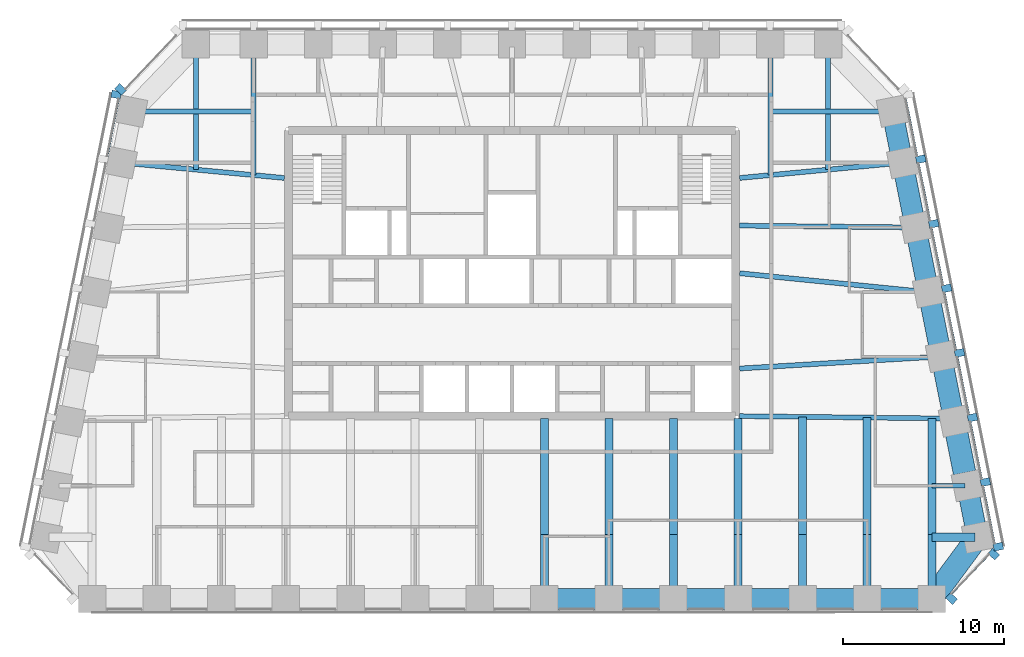
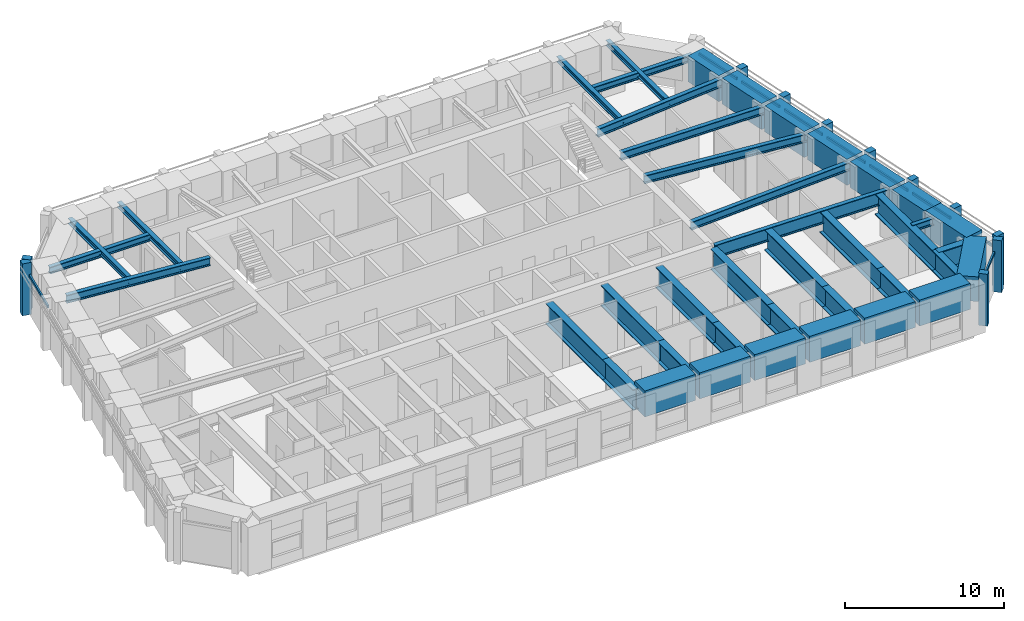
# One storey, part 2 of 12: 42 beams, 20 members, 4 elements without a shape of their own.
"""IFC4 building model written with IfcOpenShell, lengths in metres."""

from ifc_helpers import new_model, si_unit, direction, frame, origin, origin_2d, place, context, subcontext, project, spatial, rectangle, i_section, extrude, material, material_profile, profile_set, type_object, element, aggregate, save


model = new_model("IFC4")

# Units and contexts
model_context = context("Model", 3, precision=1e-05, world=origin(), true_north=direction((0.0, 1.0)))
body_context = subcontext(model_context, "Body", "Model", "MODEL_VIEW")
ifc_project = project(units=[si_unit("LENGTHUNIT", "METRE"), si_unit("AREAUNIT", "SQUARE_METRE"), si_unit("VOLUMEUNIT", "CUBIC_METRE"), si_unit("PLANEANGLEUNIT", "RADIAN"), si_unit("MASSUNIT", "GRAM", prefix="KILO")], contexts=[model_context])

# Site, building, storey
site_placement = place(None, origin())
site = spatial("IfcSite", under=ifc_project, at=site_placement, CompositionType="ELEMENT")
building_placement = place(site_placement, origin())
building = spatial("IfcBuilding", under=site, at=building_placement, Name="Isbrekke Arena Tower", CompositionType="ELEMENT")
storey_placement = place(building_placement, frame((0.0, 0.0, 292.0)))
storey = spatial("IfcBuildingStorey", under=building, at=storey_placement, Name="L68", CompositionType="ELEMENT", Elevation=292.0)

# Beams
ifc_material_1 = material(Name="Steel S355", Category="steel")
ifc_material_profile_1 = material_profile(ifc_material_1, i_section(OverallWidth=0.304931640625, OverallDepth=0.6201171875, WebThickness=0.02099609375, FlangeThickness=0.0400390625, FilletRadius=0.027099609375, at=origin_2d()), Name="HEM 600")
ifc_profile_set_1 = profile_set([ifc_material_profile_1], Name="Steel S355")
beam_type_1 = type_object("IfcBeamType", Name="B4 HEM 600", PredefinedType="BEAM", material=ifc_profile_set_1)
beam_1_placement = place(storey_placement, frame((26.431884765625, 9.837646484375, 3.5400390625), z_axis=(-0.998216240514, -0.059702070095, 0.0), x_axis=(0.059702070095, -0.998216240514, 0.0)))
element("IfcBeam", 1, at=beam_1_placement, inside=storey, type_object=beam_type_1, Name="B4 beam E-E04 L68", PredefinedType="BEAM", context=body_context, shape_type="SweptSolid", body=[
    extrude(i_section(OverallWidth=0.304931640625, OverallDepth=0.6201171875, WebThickness=0.02099609375, FlangeThickness=0.0400390625, FilletRadius=0.027099609375, at=origin_2d()), origin(), (0.0, 0.0, 1.0), 12.353759765625),
])
beam_2_placement = place(storey_placement, frame((25.625732421875, 13.83984375, 3.5400390625), z_axis=(-0.994972081505, 0.100152668587, 0.0), x_axis=(-0.100152668587, -0.994972081505, 0.0)))
element("IfcBeam", 2, at=beam_2_placement, inside=storey, type_object=beam_type_1, Name="B4 beam E-E05 L68", PredefinedType="BEAM", context=body_context, shape_type="SweptSolid", body=[
    extrude(i_section(OverallWidth=0.304931640625, OverallDepth=0.6201171875, WebThickness=0.02099609375, FlangeThickness=0.0400390625, FilletRadius=0.027099609375, at=origin_2d()), origin(), (0.0, 0.0, 1.0), 11.583984375),
])
beam_3_placement = place(storey_placement, frame((24.83935546875, 17.838134765625, 3.5400390625), z_axis=(-0.999945800258, 0.010411366203, 0.0), x_axis=(-0.010411366203, -0.999945800258, 0.0)))
element("IfcBeam", 3, at=beam_3_placement, inside=storey, type_object=beam_type_1, Name="B4 beam E-E06 L68", PredefinedType="BEAM", context=body_context, shape_type="SweptSolid", body=[
    extrude(i_section(OverallWidth=0.304931640625, OverallDepth=0.6201171875, WebThickness=0.02099609375, FlangeThickness=0.0400390625, FilletRadius=0.027099609375, at=origin_2d()), origin(), (0.0, 0.0, 1.0), 10.73974609375),
])
for number, where, z_axis, x_axis, name in (
    (4, (24.02685546875, 21.8369140625, 3.5400390625), (-0.995574576627, -0.093974796485, 0.0), (0.093974796485, -0.995574576627, 0.0), "B4 beam E-E07 L68"),
    (5, (-24.02685546875, 21.8369140625, 3.5400390625), (0.995574576627, -0.093974796485, 0.0), (0.093974796485, 0.995574576627, 0.0), "B4 beam E-W02 L68"),
):
    element("IfcBeam", number, at=place(storey_placement, frame(where, z_axis=z_axis, x_axis=x_axis)), inside=storey, type_object=beam_type_1, Name=name, PredefinedType="BEAM", context=body_context, shape_type="SweptSolid", body=[
        extrude(i_section(OverallWidth=0.304931640625, OverallDepth=0.6201171875, WebThickness=0.02099609375, FlangeThickness=0.0400390625, FilletRadius=0.027099609375, at=origin_2d()), origin(), (0.0, 0.0, 1.0), 9.970947265625),
    ])
ifc_material_2 = material(Name="Steel S355", Category="steel")
ifc_material_profile_2 = material_profile(ifc_material_2, i_section(OverallWidth=0.305908203125, OverallDepth=0.52392578125, WebThickness=0.02099609375, FlangeThickness=0.0400390625, FilletRadius=0.027099609375, at=origin_2d()), Name="HEM 500")
ifc_profile_set_2 = profile_set([ifc_material_profile_2], Name="Steel S355")
beam_type_2 = type_object("IfcBeamType", Name="B5 HEM 500", PredefinedType="BEAM", material=ifc_profile_set_2)
beam_4_placement = place(storey_placement, frame((28.041015625, 1.838134765625, 3.587890625), z_axis=(-1.0, 0.0, 0.0), x_axis=(0.0, -1.0, 0.0)))
element("IfcBeam", 6, at=beam_4_placement, inside=storey, type_object=beam_type_2, Name="B5 beam E-E02 L68", PredefinedType="BEAM", context=body_context, shape_type="SweptSolid", body=[
    extrude(i_section(OverallWidth=0.305908203125, OverallDepth=0.52392578125, WebThickness=0.02099609375, FlangeThickness=0.0400390625, FilletRadius=0.027099609375, at=origin_2d()), origin(), (0.0, 0.0, 1.0), 2.041015625),
])
for number, where, z_axis, x_axis, name in (
    (7, (23.40283203125, 25.029296875, 3.587890625), (-1.0, 0.0, 0.0), (0.0, -1.0, 0.0), "B5 beam E-E08 L68"),
    (8, (-23.40283203125, 25.029296875, 3.587890625), (1.0, 0.0, 0.0), (0.0, 1.0, 0.0), "B5 beam E-W01 L68"),
):
    element("IfcBeam", number, at=place(storey_placement, frame(where, z_axis=z_axis, x_axis=x_axis)), inside=storey, type_object=beam_type_2, Name=name, PredefinedType="BEAM", context=body_context, shape_type="SweptSolid", body=[
        extrude(i_section(OverallWidth=0.305908203125, OverallDepth=0.52392578125, WebThickness=0.02099609375, FlangeThickness=0.0400390625, FilletRadius=0.027099609375, at=origin_2d()), origin(), (0.0, 0.0, 1.0), 7.40283203125),
    ])
ifc_material_3 = material(Name="Steel S355", Category="steel")
ifc_material_profile_3 = material_profile(ifc_material_3, i_section(OverallWidth=0.306884765625, OverallDepth=0.431884765625, WebThickness=0.02099609375, FlangeThickness=0.0400390625, FilletRadius=0.027099609375, at=origin_2d()), Name="HEM 400")
ifc_profile_set_3 = profile_set([ifc_material_profile_3], Name="Steel S355")
beam_type_3 = type_object("IfcBeamType", Name="B6 HEM 400", PredefinedType="BEAM", material=ifc_profile_set_3)
beam_5_placement = place(storey_placement, frame((19.574951171875, 29.02490234375, 3.634033203125), z_axis=(0.0, -1.0, 0.0), x_axis=(1.0, 0.0, 0.0)))
element("IfcBeam", 9, at=beam_5_placement, inside=storey, type_object=beam_type_3, Name="B6 beam N-N01 L68", PredefinedType="BEAM", context=body_context, shape_type="SweptSolid", body=[
    extrude(i_section(OverallWidth=0.306884765625, OverallDepth=0.431884765625, WebThickness=0.02099609375, FlangeThickness=0.0400390625, FilletRadius=0.027099609375, at=origin_2d()), origin(), (0.0, 0.0, 1.0), 7.608154296875),
])
for number, where, z_axis, x_axis, name in (
    (10, (16.0, 29.02490234375, 3.634033203125), (0.0, -1.0, 0.0), (1.0, 0.0, 0.0), "B6 beam N-N02 L68"),
    (11, (-16.0, 29.02490234375, 3.634033203125), (0.0, -1.0, 0.0), (1.0, 0.0, 0.0), "B6 beam N-N10 L68"),
):
    element("IfcBeam", number, at=place(storey_placement, frame(where, z_axis=z_axis, x_axis=x_axis)), inside=storey, type_object=beam_type_3, Name=name, PredefinedType="BEAM", context=body_context, shape_type="SweptSolid", body=[
        extrude(i_section(OverallWidth=0.306884765625, OverallDepth=0.431884765625, WebThickness=0.02099609375, FlangeThickness=0.0400390625, FilletRadius=0.027099609375, at=origin_2d()), origin(), (0.0, 0.0, 1.0), 7.945556640625),
    ])
beam_6_placement = place(storey_placement, frame((-19.574951171875, 29.02490234375, 3.634033203125), z_axis=(0.0, -1.0, 0.0), x_axis=(1.0, 0.0, 0.0)))
element("IfcBeam", 12, at=beam_6_placement, inside=storey, type_object=beam_type_3, Name="B6 beam N-N11 L68", PredefinedType="BEAM", context=body_context, shape_type="SweptSolid", body=[
    extrude(i_section(OverallWidth=0.306884765625, OverallDepth=0.431884765625, WebThickness=0.02099609375, FlangeThickness=0.0400390625, FilletRadius=0.027099609375, at=origin_2d()), origin(), (0.0, 0.0, 1.0), 7.608154296875),
])

# Curtain wall, members
ifc_material_4 = material(Name="Glazed aluminium curtain wall", Category="aluminium")
curtain_wall_type = type_object("IfcCurtainWallType", Name="CWT TOWER CURTAIN WALL TOP ZONE", PredefinedType="USERDEFINED", material=ifc_material_4)
curtain_wall_1_placement = place(storey_placement, origin())
curtain_wall_1 = element("IfcCurtainWall", 13, at=curtain_wall_1_placement, inside=storey, type_object=curtain_wall_type, Name="CWT curtain wall L68-SE", ObjectType="TOWER CURTAIN WALL TOP ZONE", PredefinedType="USERDEFINED")
ifc_material_5 = material(Name="Copper-clad aluminium mullion", Category="aluminium")
ifc_material_profile_4 = material_profile(ifc_material_5, rectangle(XDim=0.449951171875, YDim=0.60009765625, at=origin_2d()), Name="PIER 450X600")
ifc_profile_set_4 = profile_set([ifc_material_profile_4], Name="Copper-clad aluminium mullion")
member_type_1 = type_object("IfcMemberType", Name="CWT-M PIER MULLION 450 x 600", PredefinedType="MULLION", material=ifc_profile_set_4)
member_1_placement = place(storey_placement, frame((27.22021484375, -5.151123046875, 0.0), z_axis=(0.0, 0.0, 1.0), x_axis=(0.68874946192, 0.72499943359, 0.0)))
member_1 = element("IfcMember", 14, at=member_1_placement, type_object=member_type_1, Name="CWT-M mullion 1", PredefinedType="MULLION", context=body_context, shape_type="SweptSolid", body=[
    extrude(rectangle(XDim=0.449951171875, YDim=0.60009765625, at=origin_2d()), origin(), (0.0, 0.0, 1.0), 4.0),
])
member_2_placement = place(storey_placement, frame((29.8359375, -2.397705078125, 0.0), z_axis=(0.0, 0.0, 1.0), x_axis=(0.68874946192, 0.72499943359, 0.0)))
member_2 = element("IfcMember", 15, at=member_2_placement, type_object=member_type_1, Name="CWT-M mullion 2", PredefinedType="MULLION", context=body_context, shape_type="SweptSolid", body=[
    extrude(rectangle(XDim=0.449951171875, YDim=0.60009765625, at=origin_2d()), origin(), (0.0, 0.0, 1.0), 4.0),
])

curtain_wall_2_placement = place(storey_placement, origin())
curtain_wall_2 = element("IfcCurtainWall", 16, at=curtain_wall_2_placement, inside=storey, type_object=curtain_wall_type, Name="CWT curtain wall L68-E", ObjectType="TOWER CURTAIN WALL TOP ZONE", PredefinedType="USERDEFINED")
member_3_placement = place(storey_placement, frame((30.11865234375, -1.936279296875, 0.0), z_axis=(0.0, 0.0, 1.0), x_axis=(-0.196116135138, 0.980580675691, 0.0)))
member_3 = element("IfcMember", 17, at=member_3_placement, type_object=member_type_1, Name="CWT-M mullion 1", PredefinedType="MULLION", context=body_context, shape_type="SweptSolid", body=[
    extrude(rectangle(XDim=0.449951171875, YDim=0.60009765625, at=origin_2d()), origin(), (0.0, 0.0, 1.0), 4.0),
])
member_4_placement = place(storey_placement, frame((29.318603515625, 2.063720703125, 0.0), z_axis=(0.0, 0.0, 1.0), x_axis=(-0.196116135138, 0.980580675691, 0.0)))
member_4 = element("IfcMember", 18, at=member_4_placement, type_object=member_type_1, Name="CWT-M mullion 2", PredefinedType="MULLION", context=body_context, shape_type="SweptSolid", body=[
    extrude(rectangle(XDim=0.449951171875, YDim=0.60009765625, at=origin_2d()), origin(), (0.0, 0.0, 1.0), 4.0),
])
member_5_placement = place(storey_placement, frame((28.518798828125, 6.063720703125, 0.0), z_axis=(0.0, 0.0, 1.0), x_axis=(-0.196116135138, 0.980580675691, 0.0)))
member_5 = element("IfcMember", 19, at=member_5_placement, type_object=member_type_1, Name="CWT-M mullion 3", PredefinedType="MULLION", context=body_context, shape_type="SweptSolid", body=[
    extrude(rectangle(XDim=0.449951171875, YDim=0.60009765625, at=origin_2d()), origin(), (0.0, 0.0, 1.0), 4.0),
])
member_6_placement = place(storey_placement, frame((27.71875, 10.063720703125, 0.0), z_axis=(0.0, 0.0, 1.0), x_axis=(-0.196116135138, 0.980580675691, 0.0)))
member_6 = element("IfcMember", 20, at=member_6_placement, type_object=member_type_1, Name="CWT-M mullion 4", PredefinedType="MULLION", context=body_context, shape_type="SweptSolid", body=[
    extrude(rectangle(XDim=0.449951171875, YDim=0.60009765625, at=origin_2d()), origin(), (0.0, 0.0, 1.0), 4.0),
])
member_7_placement = place(storey_placement, frame((26.918701171875, 14.063720703125, 0.0), z_axis=(0.0, 0.0, 1.0), x_axis=(-0.196116135138, 0.980580675691, 0.0)))
member_7 = element("IfcMember", 21, at=member_7_placement, type_object=member_type_1, Name="CWT-M mullion 5", PredefinedType="MULLION", context=body_context, shape_type="SweptSolid", body=[
    extrude(rectangle(XDim=0.449951171875, YDim=0.60009765625, at=origin_2d()), origin(), (0.0, 0.0, 1.0), 4.0),
])
member_8_placement = place(storey_placement, frame((26.11865234375, 18.063720703125, 0.0), z_axis=(0.0, 0.0, 1.0), x_axis=(-0.196116135138, 0.980580675691, 0.0)))
member_8 = element("IfcMember", 22, at=member_8_placement, type_object=member_type_1, Name="CWT-M mullion 6", PredefinedType="MULLION", context=body_context, shape_type="SweptSolid", body=[
    extrude(rectangle(XDim=0.449951171875, YDim=0.60009765625, at=origin_2d()), origin(), (0.0, 0.0, 1.0), 4.0),
])
member_9_placement = place(storey_placement, frame((25.318603515625, 22.063720703125, 0.0), z_axis=(0.0, 0.0, 1.0), x_axis=(-0.196116135138, 0.980580675691, 0.0)))
member_9 = element("IfcMember", 23, at=member_9_placement, type_object=member_type_1, Name="CWT-M mullion 7", PredefinedType="MULLION", context=body_context, shape_type="SweptSolid", body=[
    extrude(rectangle(XDim=0.449951171875, YDim=0.60009765625, at=origin_2d()), origin(), (0.0, 0.0, 1.0), 4.0),
])

# Curtain wall, member
curtain_wall_3_placement = place(storey_placement, origin())
curtain_wall_3 = element("IfcCurtainWall", 24, at=curtain_wall_3_placement, inside=storey, type_object=curtain_wall_type, Name="CWT curtain wall L68-NW", ObjectType="TOWER CURTAIN WALL TOP ZONE", PredefinedType="USERDEFINED")
member_10_placement = place(storey_placement, frame((-24.243896484375, 26.389404296875, 0.0), z_axis=(0.0, 0.0, 1.0), x_axis=(-0.68874946192, -0.72499943359, 0.0)))
member_10 = element("IfcMember", 25, at=member_10_placement, type_object=member_type_1, Name="CWT-M mullion 2", PredefinedType="MULLION", context=body_context, shape_type="SweptSolid", body=[
    extrude(rectangle(XDim=0.449951171875, YDim=0.60009765625, at=origin_2d()), origin(), (0.0, 0.0, 1.0), 4.0),
])
aggregate(curtain_wall_3, [member_10])

curtain_wall_4_placement = place(storey_placement, origin())
curtain_wall_4 = element("IfcCurtainWall", 26, at=curtain_wall_4_placement, inside=storey, type_object=curtain_wall_type, Name="CWT curtain wall L68-W", ObjectType="TOWER CURTAIN WALL TOP ZONE", PredefinedType="USERDEFINED")
member_11_placement = place(storey_placement, frame((-24.518798828125, 26.063720703125, 0.0), z_axis=(0.0, 0.0, 1.0), x_axis=(-0.196116135138, -0.980580675691, 0.0)))
member_11 = element("IfcMember", 27, at=member_11_placement, type_object=member_type_1, Name="CWT-M mullion 1", PredefinedType="MULLION", context=body_context, shape_type="SweptSolid", body=[
    extrude(rectangle(XDim=0.449951171875, YDim=0.60009765625, at=origin_2d()), origin(), (0.0, 0.0, 1.0), 4.0),
])

# Member
ifc_material_6 = material(Name="Aluminium transom", Category="aluminium")
ifc_material_profile_5 = material_profile(ifc_material_6, rectangle(XDim=0.1201171875, YDim=0.199951171875, at=origin_2d()), Name="TRANSOM 120X200")
ifc_profile_set_5 = profile_set([ifc_material_profile_5], Name="Aluminium transom")
member_type_2 = type_object("IfcMemberType", Name="CWT-T TRANSOM 120 x 200", PredefinedType="USERDEFINED", material=ifc_profile_set_5)
member_12_placement = place(storey_placement, frame((27.230224609375, -4.850341796875, 3.0), z_axis=(0.688714962542, 0.725032206437, 0.0), x_axis=(-0.725032206437, 0.688714962542, 0.0)))
member_12 = element("IfcMember", 28, at=member_12_placement, type_object=member_type_2, Name="CWT-T transom 1", ObjectType="TRANSOM", PredefinedType="USERDEFINED", context=body_context, shape_type="SweptSolid", body=[
    extrude(rectangle(XDim=0.1201171875, YDim=0.199951171875, at=origin_2d()), origin(), (0.0, 0.0, 1.0), 3.34765625),
])

aggregate(curtain_wall_1, [member_1, member_2, member_12])

member_13_placement = place(storey_placement, frame((29.87841796875, -1.7548828125, 3.0), z_axis=(-0.196090262229, 0.980585849918, 0.0), x_axis=(-0.980585849918, -0.196090262229, 0.0)))
member_13 = element("IfcMember", 29, at=member_13_placement, type_object=member_type_2, Name="CWT-T transom 1", ObjectType="TRANSOM", PredefinedType="USERDEFINED", context=body_context, shape_type="SweptSolid", body=[
    extrude(rectangle(XDim=0.1201171875, YDim=0.199951171875, at=origin_2d()), origin(), (0.0, 0.0, 1.0), 3.62939453125),
])

member_14_placement = place(storey_placement, frame((29.078369140625, 2.2451171875, 3.0), z_axis=(-0.196090262229, 0.980585849918, 0.0), x_axis=(-0.980585849918, -0.196090262229, 0.0)))
member_14 = element("IfcMember", 30, at=member_14_placement, type_object=member_type_2, Name="CWT-T transom 2", ObjectType="TRANSOM", PredefinedType="USERDEFINED", context=body_context, shape_type="SweptSolid", body=[
    extrude(rectangle(XDim=0.1201171875, YDim=0.199951171875, at=origin_2d()), origin(), (0.0, 0.0, 1.0), 3.62939453125),
])

member_15_placement = place(storey_placement, frame((28.278564453125, 6.2451171875, 3.0), z_axis=(-0.196154943734, 0.980572913173, 0.0), x_axis=(-0.980572913173, -0.196154943734, 0.0)))
member_15 = element("IfcMember", 31, at=member_15_placement, type_object=member_type_2, Name="CWT-T transom 3", ObjectType="TRANSOM", PredefinedType="USERDEFINED", context=body_context, shape_type="SweptSolid", body=[
    extrude(rectangle(XDim=0.1201171875, YDim=0.199951171875, at=origin_2d()), origin(), (0.0, 0.0, 1.0), 3.62939453125),
])

member_16_placement = place(storey_placement, frame((27.478515625, 10.2451171875, 3.0), z_axis=(-0.196154943734, 0.980572913173, 0.0), x_axis=(-0.980572913173, -0.196154943734, 0.0)))
member_16 = element("IfcMember", 32, at=member_16_placement, type_object=member_type_2, Name="CWT-T transom 4", ObjectType="TRANSOM", PredefinedType="USERDEFINED", context=body_context, shape_type="SweptSolid", body=[
    extrude(rectangle(XDim=0.1201171875, YDim=0.199951171875, at=origin_2d()), origin(), (0.0, 0.0, 1.0), 3.62939453125),
])

member_17_placement = place(storey_placement, frame((26.678466796875, 14.2451171875, 3.0), z_axis=(-0.196090262229, 0.980585849918, 0.0), x_axis=(-0.980585849918, -0.196090262229, 0.0)))
member_17 = element("IfcMember", 33, at=member_17_placement, type_object=member_type_2, Name="CWT-T transom 5", ObjectType="TRANSOM", PredefinedType="USERDEFINED", context=body_context, shape_type="SweptSolid", body=[
    extrude(rectangle(XDim=0.1201171875, YDim=0.199951171875, at=origin_2d()), origin(), (0.0, 0.0, 1.0), 3.62939453125),
])

member_18_placement = place(storey_placement, frame((25.87841796875, 18.2451171875, 3.0), z_axis=(-0.196090262229, 0.980585849918, 0.0), x_axis=(-0.980585849918, -0.196090262229, 0.0)))
member_18 = element("IfcMember", 34, at=member_18_placement, type_object=member_type_2, Name="CWT-T transom 6", ObjectType="TRANSOM", PredefinedType="USERDEFINED", context=body_context, shape_type="SweptSolid", body=[
    extrude(rectangle(XDim=0.1201171875, YDim=0.199951171875, at=origin_2d()), origin(), (0.0, 0.0, 1.0), 3.62939453125),
])

member_19_placement = place(storey_placement, frame((25.078369140625, 22.2451171875, 3.0), z_axis=(-0.196090262229, 0.980585849918, 0.0), x_axis=(-0.980585849918, -0.196090262229, 0.0)))
member_19 = element("IfcMember", 35, at=member_19_placement, type_object=member_type_2, Name="CWT-T transom 7", ObjectType="TRANSOM", PredefinedType="USERDEFINED", context=body_context, shape_type="SweptSolid", body=[
    extrude(rectangle(XDim=0.1201171875, YDim=0.199951171875, at=origin_2d()), origin(), (0.0, 0.0, 1.0), 3.62939453125),
])

aggregate(curtain_wall_2, [member_3, member_4, member_5, member_6, member_7, member_8, member_9, member_13, member_14, member_15, member_16, member_17, member_18, member_19])

member_20_placement = place(storey_placement, frame((-24.36669921875, 25.803955078125, 3.0), z_axis=(-0.196090262229, -0.980585849918, 0.0), x_axis=(0.980585849918, -0.196090262229, 0.0)))
member_20 = element("IfcMember", 36, at=member_20_placement, type_object=member_type_2, Name="CWT-T transom 1", ObjectType="TRANSOM", PredefinedType="USERDEFINED", context=body_context, shape_type="SweptSolid", body=[
    extrude(rectangle(XDim=0.1201171875, YDim=0.199951171875, at=origin_2d()), origin(), (0.0, 0.0, 1.0), 3.62939453125),
])

aggregate(curtain_wall_4, [member_11, member_20])

# Beams
ifc_material_7 = material(Name="Steel S355", Category="steel")
ifc_material_profile_6 = material_profile(ifc_material_7, i_section(OverallWidth=0.302001953125, OverallDepth=1.008056640625, WebThickness=0.02099609375, FlangeThickness=0.0400390625, FilletRadius=0.030029296875, at=origin_2d()), Name="HEM 1000")
ifc_profile_set_6 = profile_set([ifc_material_profile_6], Name="Steel S355")
beam_type_4 = type_object("IfcBeamType", Name="G2 HEM 1000", PredefinedType="BEAM", material=ifc_profile_set_6)
beam_7_placement = place(storey_placement, frame((14.10009765625, 6.14990234375, 3.345947265625), z_axis=(0.999936387749, -0.011279204565, 0.0), x_axis=(0.011279204565, 0.999936387749, 0.0)))
element("IfcBeam", 37, at=beam_7_placement, inside=storey, type_object=beam_type_4, Name="G2 beam G2-E L68", PredefinedType="BEAM", context=body_context, shape_type="SweptSolid", body=[
    extrude(i_section(OverallWidth=0.302001953125, OverallDepth=1.008056640625, WebThickness=0.02099609375, FlangeThickness=0.0400390625, FilletRadius=0.030029296875, at=origin_2d()), origin(), (0.0, 0.0, 1.0), 13.2900390625),
])
ifc_material_8 = material(Name="Concrete B55 (C55/67)", Category="concrete")
ifc_material_profile_7 = material_profile(ifc_material_8, rectangle(XDim=1.300048828125, YDim=2.0, at=origin_2d()), Name="RC 1300x2000")
ifc_profile_set_7 = profile_set([ifc_material_profile_7], Name="Concrete B55 (C55/67)")
beam_type_5 = type_object("IfcBeamType", Name="SB4 RC 1300 x 2000", PredefinedType="SPANDREL", material=ifc_profile_set_7)
for number, where, z_axis, x_axis, name in (
    (38, (2.14990234375, -5.175048828125, 3.0), (1.0, 0.0, 0.0), (0.0, 1.0, 0.0), "SB4 spandrel S08-S09 L68"),
    (39, (6.14990234375, -5.175048828125, 3.0), (1.0, 0.0, 0.0), (0.0, 1.0, 0.0), "SB4 spandrel S09-S10 L68"),
    (40, (10.14990234375, -5.175048828125, 3.0), (1.0, 0.0, 0.0), (0.0, 1.0, 0.0), "SB4 spandrel S10-S11 L68"),
    (41, (14.14990234375, -5.175048828125, 3.0), (1.0, 0.0, 0.0), (0.0, 1.0, 0.0), "SB4 spandrel S11-S12 L68"),
    (42, (18.14990234375, -5.175048828125, 3.0), (1.0, 0.0, 0.0), (0.0, 1.0, 0.0), "SB4 spandrel S12-S13 L68"),
    (43, (22.14990234375, -5.175048828125, 3.0), (1.0, 0.0, 0.0), (0.0, 1.0, 0.0), "SB4 spandrel S13-S14 L68"),
):
    element("IfcBeam", number, at=place(storey_placement, frame(where, z_axis=z_axis, x_axis=x_axis)), inside=storey, type_object=beam_type_5, Name=name, PredefinedType="SPANDREL", context=body_context, shape_type="SweptSolid", body=[
        extrude(rectangle(XDim=1.300048828125, YDim=2.0, at=origin_2d()), origin(), (0.0, 0.0, 1.0), 3.7001953125),
    ])
beam_8_placement = place(storey_placement, frame((28.7998046875, -1.205810546875, 3.0), z_axis=(-0.196092237713, 0.980585454873, 0.0), x_axis=(-0.980585454873, -0.196092237713, 0.0)))
element("IfcBeam", 44, at=beam_8_placement, inside=storey, type_object=beam_type_5, Name="SB4 spandrel E01-E02 L68", PredefinedType="SPANDREL", context=body_context, shape_type="SweptSolid", body=[
    extrude(rectangle(XDim=1.300048828125, YDim=2.0, at=origin_2d()), origin(), (0.0, 0.0, 1.0), 3.92919921875),
])
beam_9_placement = place(storey_placement, frame((27.361572265625, 5.9853515625, 3.0), z_axis=(-0.196128558387, 0.980578190959, 0.0), x_axis=(-0.980578190959, -0.196128558387, 0.0)))
element("IfcBeam", 45, at=beam_9_placement, inside=storey, type_object=beam_type_5, Name="SB4 spandrel E03-E04 L68", PredefinedType="SPANDREL", context=body_context, shape_type="SweptSolid", body=[
    extrude(rectangle(XDim=1.300048828125, YDim=2.0, at=origin_2d()), origin(), (0.0, 0.0, 1.0), 3.779296875),
])
beam_10_placement = place(storey_placement, frame((26.5615234375, 9.9853515625, 3.0), z_axis=(-0.1960664412, 0.980590613169, 0.0), x_axis=(-0.980590613169, -0.1960664412, 0.0)))
element("IfcBeam", 46, at=beam_10_placement, inside=storey, type_object=beam_type_5, Name="SB4 spandrel E04-E05 L68", PredefinedType="SPANDREL", context=body_context, shape_type="SweptSolid", body=[
    extrude(rectangle(XDim=1.300048828125, YDim=2.0, at=origin_2d()), origin(), (0.0, 0.0, 1.0), 3.779052734375),
])
for number, where, z_axis, x_axis, name in (
    (47, (25.76171875, 13.9853515625, 3.0), (-0.196128558387, 0.980578190959, 0.0), (-0.980578190959, -0.196128558387, 0.0), "SB4 spandrel E05-E06 L68"),
    (48, (24.961669921875, 17.9853515625, 3.0), (-0.196128558387, 0.980578190959, 0.0), (-0.980578190959, -0.196128558387, 0.0), "SB4 spandrel E06-E07 L68"),
):
    element("IfcBeam", number, at=place(storey_placement, frame(where, z_axis=z_axis, x_axis=x_axis)), inside=storey, type_object=beam_type_5, Name=name, PredefinedType="SPANDREL", context=body_context, shape_type="SweptSolid", body=[
        extrude(rectangle(XDim=1.300048828125, YDim=2.0, at=origin_2d()), origin(), (0.0, 0.0, 1.0), 3.779296875),
    ])
beam_11_placement = place(storey_placement, frame((24.16162109375, 21.9853515625, 3.0), z_axis=(-0.196116135138, 0.980580675691, 0.0), x_axis=(-0.980580675691, -0.196116135138, 0.0)))
element("IfcBeam", 49, at=beam_11_placement, inside=storey, type_object=beam_type_5, Name="SB4 spandrel E07-E08 L68", PredefinedType="SPANDREL", context=body_context, shape_type="SweptSolid", body=[
    extrude(rectangle(XDim=1.300048828125, YDim=2.0, at=origin_2d()), origin(), (0.0, 0.0, 1.0), 2.9541015625),
])
ifc_material_9 = material(Name="Concrete B55 (C55/67)", Category="concrete")
ifc_material_profile_8 = material_profile(ifc_material_9, rectangle(XDim=1.39990234375, YDim=1.89990234375, at=origin_2d()), Name="RC 1400 x 1900")
ifc_profile_set_8 = profile_set([ifc_material_profile_8], Name="Concrete B55 (C55/67)")
beam_type_6 = type_object("IfcBeamType", Name="SB5 RC 1400  x  1900", PredefinedType="SPANDREL", material=ifc_profile_set_8)
beam_12_placement = place(storey_placement, frame((26.08935546875, -5.054443359375, 3.050048828125), z_axis=(0.594937895072, 0.803771672185, 0.0), x_axis=(-0.803771672185, 0.594937895072, 0.0)))
element("IfcBeam", 50, at=beam_12_placement, inside=storey, type_object=beam_type_6, Name="SB5 spandrel S14-E01 L68", PredefinedType="SPANDREL", context=body_context, shape_type="SweptSolid", body=[
    extrude(rectangle(XDim=1.39990234375, YDim=1.89990234375, at=origin_2d()), origin(), (0.0, 0.0, 1.0), 4.455322265625),
])
beam_13_placement = place(storey_placement, frame((28.029296875, 2.647216796875, 3.050048828125), z_axis=(-0.196146384009, 0.980574625432, 0.0), x_axis=(-0.980574625432, -0.196146384009, 0.0)))
element("IfcBeam", 51, at=beam_13_placement, inside=storey, type_object=beam_type_6, Name="SB5 spandrel E02-E03 L68", PredefinedType="SPANDREL", context=body_context, shape_type="SweptSolid", body=[
    extrude(rectangle(XDim=1.39990234375, YDim=1.89990234375, at=origin_2d()), origin(), (0.0, 0.0, 1.0), 3.104248046875),
])
ifc_material_10 = material(Name="Steel S355", Category="steel")
ifc_material_profile_9 = material_profile(ifc_material_10, i_section(OverallWidth=0.5, OverallDepth=1.60009765625, WebThickness=0.030029296875, FlangeThickness=0.06005859375, at=origin_2d()), Name="PG 1600x500")
ifc_profile_set_9 = profile_set([ifc_material_profile_9], Name="Steel S355")
beam_type_7 = type_object("IfcBeamType", Name="TG1 PG 1600x500", PredefinedType="BEAM", material=ifc_profile_set_9)
beam_14_placement = place(storey_placement, frame((2.0, -5.02490234375, 2.949951171875), z_axis=(0.0, 1.0, 0.0), x_axis=(-1.0, 0.0, 0.0)))
element("IfcBeam", 52, at=beam_14_placement, inside=storey, type_object=beam_type_7, Name="TG1 transfer girder C-S08 L68 part 1", PredefinedType="BEAM", context=body_context, shape_type="SweptSolid", body=[
    extrude(i_section(OverallWidth=0.5, OverallDepth=1.60009765625, WebThickness=0.030029296875, FlangeThickness=0.06005859375, at=origin_2d()), origin(), (0.0, 0.0, 1.0), 3.849853515625),
])
beam_15_placement = place(storey_placement, frame((2.0, -1.175048828125, 2.949951171875), z_axis=(0.0, 1.0, 0.0), x_axis=(-1.0, 0.0, 0.0)))
element("IfcBeam", 53, at=beam_15_placement, inside=storey, type_object=beam_type_7, Name="TG1 transfer girder C-S08 L68 part 2", PredefinedType="BEAM", context=body_context, shape_type="SweptSolid", body=[
    extrude(i_section(OverallWidth=0.5, OverallDepth=1.60009765625, WebThickness=0.030029296875, FlangeThickness=0.06005859375, at=origin_2d()), origin(), (0.0, 0.0, 1.0), 7.175048828125),
])
beam_16_placement = place(storey_placement, frame((6.0, -5.02490234375, 2.949951171875), z_axis=(0.0, 1.0, 0.0), x_axis=(-1.0, 0.0, 0.0)))
element("IfcBeam", 54, at=beam_16_placement, inside=storey, type_object=beam_type_7, Name="TG1 transfer girder C-S09 L68 part 1", PredefinedType="BEAM", context=body_context, shape_type="SweptSolid", body=[
    extrude(i_section(OverallWidth=0.5, OverallDepth=1.60009765625, WebThickness=0.030029296875, FlangeThickness=0.06005859375, at=origin_2d()), origin(), (0.0, 0.0, 1.0), 3.849853515625),
])
beam_17_placement = place(storey_placement, frame((6.0, -1.175048828125, 2.949951171875), z_axis=(0.0, 1.0, 0.0), x_axis=(-1.0, 0.0, 0.0)))
element("IfcBeam", 55, at=beam_17_placement, inside=storey, type_object=beam_type_7, Name="TG1 transfer girder C-S09 L68 part 2", PredefinedType="BEAM", context=body_context, shape_type="SweptSolid", body=[
    extrude(i_section(OverallWidth=0.5, OverallDepth=1.60009765625, WebThickness=0.030029296875, FlangeThickness=0.06005859375, at=origin_2d()), origin(), (0.0, 0.0, 1.0), 7.175048828125),
])
beam_18_placement = place(storey_placement, frame((10.0, -5.02490234375, 2.949951171875), z_axis=(0.0, 1.0, 0.0), x_axis=(-1.0, 0.0, 0.0)))
element("IfcBeam", 56, at=beam_18_placement, inside=storey, type_object=beam_type_7, Name="TG1 transfer girder C-S10 L68 part 1", PredefinedType="BEAM", context=body_context, shape_type="SweptSolid", body=[
    extrude(i_section(OverallWidth=0.5, OverallDepth=1.60009765625, WebThickness=0.030029296875, FlangeThickness=0.06005859375, at=origin_2d()), origin(), (0.0, 0.0, 1.0), 3.849853515625),
])
beam_19_placement = place(storey_placement, frame((10.0, -1.175048828125, 2.949951171875), z_axis=(0.0, 1.0, 0.0), x_axis=(-1.0, 0.0, 0.0)))
element("IfcBeam", 57, at=beam_19_placement, inside=storey, type_object=beam_type_7, Name="TG1 transfer girder C-S10 L68 part 2", PredefinedType="BEAM", context=body_context, shape_type="SweptSolid", body=[
    extrude(i_section(OverallWidth=0.5, OverallDepth=1.60009765625, WebThickness=0.030029296875, FlangeThickness=0.06005859375, at=origin_2d()), origin(), (0.0, 0.0, 1.0), 7.175048828125),
])
beam_20_placement = place(storey_placement, frame((14.0, -5.02490234375, 2.949951171875), z_axis=(0.0, 1.0, 0.0), x_axis=(-1.0, 0.0, 0.0)))
element("IfcBeam", 58, at=beam_20_placement, inside=storey, type_object=beam_type_7, Name="TG1 transfer girder C-S11 L68 part 1", PredefinedType="BEAM", context=body_context, shape_type="SweptSolid", body=[
    extrude(i_section(OverallWidth=0.5, OverallDepth=1.60009765625, WebThickness=0.030029296875, FlangeThickness=0.06005859375, at=origin_2d()), origin(), (0.0, 0.0, 1.0), 3.849853515625),
])
beam_21_placement = place(storey_placement, frame((14.0, -1.175048828125, 2.949951171875), z_axis=(0.0, 1.0, 0.0), x_axis=(-1.0, 0.0, 0.0)))
element("IfcBeam", 59, at=beam_21_placement, inside=storey, type_object=beam_type_7, Name="TG1 transfer girder C-S11 L68 part 2", PredefinedType="BEAM", context=body_context, shape_type="SweptSolid", body=[
    extrude(i_section(OverallWidth=0.5, OverallDepth=1.60009765625, WebThickness=0.030029296875, FlangeThickness=0.06005859375, at=origin_2d()), origin(), (0.0, 0.0, 1.0), 7.175048828125),
])
beam_22_placement = place(storey_placement, frame((18.0, -5.02490234375, 2.949951171875), z_axis=(0.0, 1.0, 0.0), x_axis=(-1.0, 0.0, 0.0)))
element("IfcBeam", 60, at=beam_22_placement, inside=storey, type_object=beam_type_7, Name="TG1 transfer girder C-S12 L68 part 1", PredefinedType="BEAM", context=body_context, shape_type="SweptSolid", body=[
    extrude(i_section(OverallWidth=0.5, OverallDepth=1.60009765625, WebThickness=0.030029296875, FlangeThickness=0.06005859375, at=origin_2d()), origin(), (0.0, 0.0, 1.0), 3.849853515625),
])
beam_23_placement = place(storey_placement, frame((18.0, -1.175048828125, 2.949951171875), z_axis=(0.0, 1.0, 0.0), x_axis=(-1.0, 0.0, 0.0)))
element("IfcBeam", 61, at=beam_23_placement, inside=storey, type_object=beam_type_7, Name="TG1 transfer girder C-S12 L68 part 2", PredefinedType="BEAM", context=body_context, shape_type="SweptSolid", body=[
    extrude(i_section(OverallWidth=0.5, OverallDepth=1.60009765625, WebThickness=0.030029296875, FlangeThickness=0.06005859375, at=origin_2d()), origin(), (0.0, 0.0, 1.0), 7.281005859375),
])
beam_24_placement = place(storey_placement, frame((22.0, -5.02490234375, 2.949951171875), z_axis=(0.0, 1.0, 0.0), x_axis=(-1.0, 0.0, 0.0)))
element("IfcBeam", 62, at=beam_24_placement, inside=storey, type_object=beam_type_7, Name="TG1 transfer girder C-S13 L68 part 1", PredefinedType="BEAM", context=body_context, shape_type="SweptSolid", body=[
    extrude(i_section(OverallWidth=0.5, OverallDepth=1.60009765625, WebThickness=0.030029296875, FlangeThickness=0.06005859375, at=origin_2d()), origin(), (0.0, 0.0, 1.0), 3.849853515625),
])
beam_25_placement = place(storey_placement, frame((22.0, -1.175048828125, 2.949951171875), z_axis=(0.0, 1.0, 0.0), x_axis=(-1.0, 0.0, 0.0)))
element("IfcBeam", 63, at=beam_25_placement, inside=storey, type_object=beam_type_7, Name="TG1 transfer girder C-S13 L68 part 2", PredefinedType="BEAM", context=body_context, shape_type="SweptSolid", body=[
    extrude(i_section(OverallWidth=0.5, OverallDepth=1.60009765625, WebThickness=0.030029296875, FlangeThickness=0.06005859375, at=origin_2d()), origin(), (0.0, 0.0, 1.0), 7.23583984375),
])
beam_26_placement = place(storey_placement, frame((26.0, -5.02490234375, 2.949951171875), z_axis=(0.0, 1.0, 0.0), x_axis=(-1.0, 0.0, 0.0)))
element("IfcBeam", 64, at=beam_26_placement, inside=storey, type_object=beam_type_7, Name="TG1 transfer girder C-S14 L68 part 1", PredefinedType="BEAM", context=body_context, shape_type="SweptSolid", body=[
    extrude(i_section(OverallWidth=0.5, OverallDepth=1.60009765625, WebThickness=0.030029296875, FlangeThickness=0.06005859375, at=origin_2d()), origin(), (0.0, 0.0, 1.0), 3.849853515625),
])
beam_27_placement = place(storey_placement, frame((26.0, -1.175048828125, 2.949951171875), z_axis=(0.0, 1.0, 0.0), x_axis=(-1.0, 0.0, 0.0)))
element("IfcBeam", 65, at=beam_27_placement, inside=storey, type_object=beam_type_7, Name="TG1 transfer girder C-S14 L68 part 2", PredefinedType="BEAM", context=body_context, shape_type="SweptSolid", body=[
    extrude(i_section(OverallWidth=0.5, OverallDepth=1.60009765625, WebThickness=0.030029296875, FlangeThickness=0.06005859375, at=origin_2d()), origin(), (0.0, 0.0, 1.0), 7.190673828125),
])
beam_28_placement = place(storey_placement, frame((28.67919921875, -1.352783203125, 2.949951171875), z_axis=(-1.0, 0.0, 0.0), x_axis=(0.0, -1.0, 0.0)))
element("IfcBeam", 66, at=beam_28_placement, inside=storey, type_object=beam_type_7, Name="TG1 transfer girder E-E01 L68", PredefinedType="BEAM", context=body_context, shape_type="SweptSolid", body=[
    extrude(i_section(OverallWidth=0.5, OverallDepth=1.60009765625, WebThickness=0.030029296875, FlangeThickness=0.06005859375, at=origin_2d()), origin(), (0.0, 0.0, 1.0), 2.67919921875),
])

save(model, "model.ifc")
